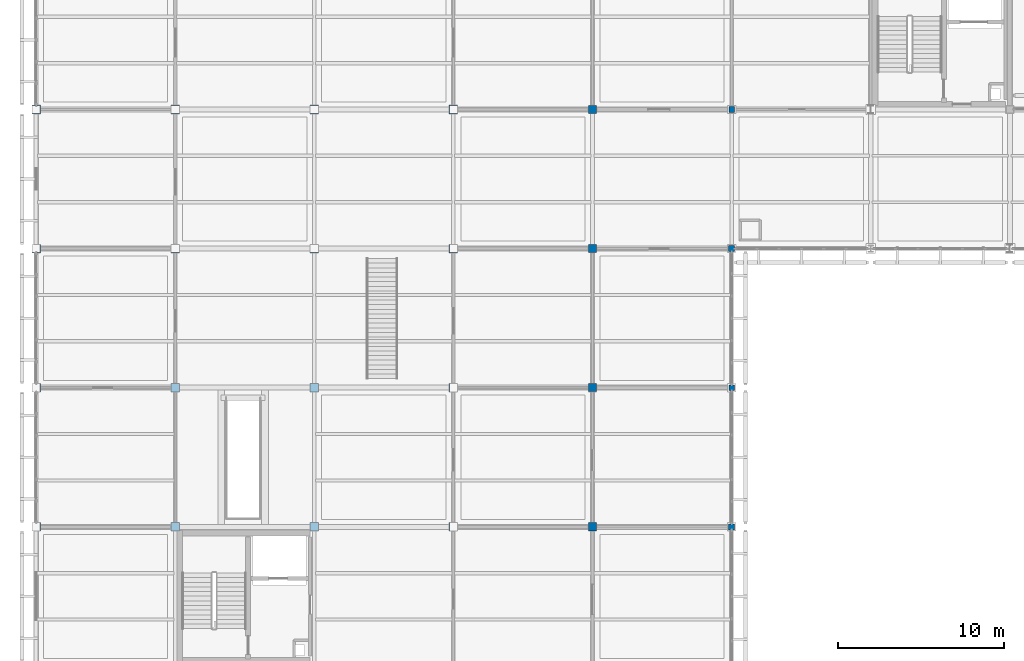
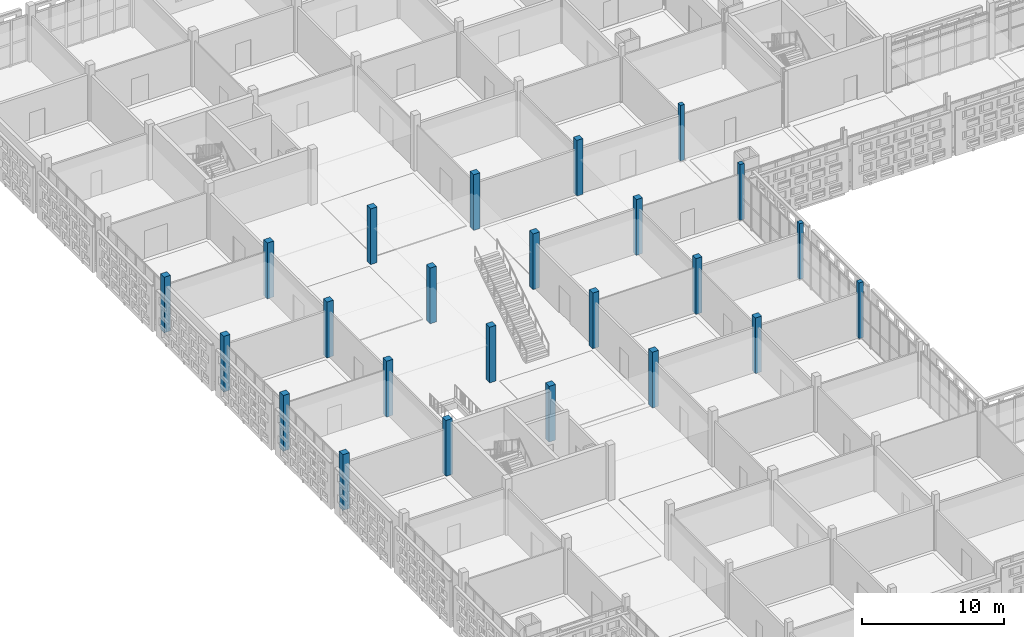
# One storey, part 3 of 203: 24 columns.
"""IFC4 building model written with IfcOpenShell, lengths in metres."""

from ifc_helpers import new_model, si_unit, direction, frame, origin, origin_2d, place, context, subcontext, project, spatial, rectangle, extrude, material, material_profile, profile_set, type_object, element, save


model = new_model("IFC4")

# Units and contexts
model_context = context("Model", 3, precision=1e-05, world=origin(), true_north=direction((0.0, 1.0)))
body_context = subcontext(model_context, "Body", "Model", "MODEL_VIEW")
ifc_project = project(units=[si_unit("LENGTHUNIT", "METRE"), si_unit("AREAUNIT", "SQUARE_METRE"), si_unit("VOLUMEUNIT", "CUBIC_METRE"), si_unit("PLANEANGLEUNIT", "RADIAN"), si_unit("MASSUNIT", "GRAM", prefix="KILO")], contexts=[model_context])

# Site, building, storey
site_placement = place(None, origin())
site = spatial("IfcSite", under=ifc_project, at=site_placement, CompositionType="ELEMENT")
building_placement = place(site_placement, origin())
building = spatial("IfcBuilding", under=site, at=building_placement, Name="Varnapada Polytechnic", CompositionType="ELEMENT")
storey_placement = place(building_placement, frame((0.0, 0.0, 4.800048828125)))
storey = spatial("IfcBuildingStorey", under=building, at=storey_placement, Name="L01", CompositionType="ELEMENT", Elevation=4.800048828125)

# Columns
ifc_material = material(Name="Glulam GL32h", Category="wood")
ifc_material_profile_1 = material_profile(ifc_material, rectangle(XDim=0.52001953125, YDim=0.52001953125, at=origin_2d()), Name="GL 520x520")
ifc_profile_set_1 = profile_set([ifc_material_profile_1], Name="Glulam GL32h")
column_type_1 = type_object("IfcColumnType", Name="Column C-11 (GL 520x520)", PredefinedType="COLUMN", material=ifc_profile_set_1)
for number, where, z_axis, x_axis, name in (
    (1, (0.0, 67.199951171875, 0.0), (0.0, 0.0, 1.0), (1.0, 0.0, 0.0), "L01 column 1/9"),
    (2, (0.0, 75.60009765625, 0.0), (0.0, 0.0, 1.0), (1.0, 0.0, 0.0), "L01 column 1/10"),
    (3, (0.0, 84.0, 0.0), (0.0, 0.0, 1.0), (1.0, 0.0, 0.0), "L01 column 1/11"),
    (4, (0.0, 92.39990234375, 0.0), (0.0, 0.0, 1.0), (1.0, 0.0, 0.0), "L01 column 1/12"),
    (5, (8.39990234375, 67.199951171875, 0.0), (0.0, 0.0, 1.0), (1.0, 0.0, 0.0), "L01 column 2/9"),
    (6, (8.39990234375, 75.60009765625, 0.0), (0.0, 0.0, 1.0), (1.0, 0.0, 0.0), "L01 column 2/10"),
    (7, (8.39990234375, 84.0, 0.0), (0.0, 0.0, 1.0), (1.0, 0.0, 0.0), "L01 column 2/11"),
    (8, (8.39990234375, 92.39990234375, 0.0), (0.0, 0.0, 1.0), (1.0, 0.0, 0.0), "L01 column 2/12"),
    (9, (16.800048828125, 67.199951171875, 0.0), (0.0, 0.0, 1.0), (1.0, 0.0, 0.0), "L01 column 3/9"),
    (10, (16.800048828125, 75.60009765625, 0.0), (0.0, 0.0, 1.0), (1.0, 0.0, 0.0), "L01 column 3/10"),
    (11, (16.800048828125, 84.0, 0.0), (0.0, 0.0, 1.0), (1.0, 0.0, 0.0), "L01 column 3/11"),
    (12, (16.800048828125, 92.39990234375, 0.0), (0.0, 0.0, 1.0), (1.0, 0.0, 0.0), "L01 column 3/12"),
    (13, (25.199951171875, 67.199951171875, 0.0), (0.0, 0.0, 1.0), (1.0, 0.0, 0.0), "L01 column 4/9"),
    (14, (25.199951171875, 75.60009765625, 0.0), (0.0, 0.0, 1.0), (1.0, 0.0, 0.0), "L01 column 4/10"),
    (15, (25.199951171875, 84.0, 0.0), (0.0, 0.0, 1.0), (1.0, 0.0, 0.0), "L01 column 4/11"),
    (16, (25.199951171875, 92.39990234375, 0.0), (0.0, 0.0, 1.0), (1.0, 0.0, 0.0), "L01 column 4/12"),
):
    element("IfcColumn", number, at=place(storey_placement, frame(where, z_axis=z_axis, x_axis=x_axis)), inside=storey, type_object=column_type_1, Name=name, PredefinedType="COLUMN", context=body_context, shape_type="SweptSolid", body=[
        extrude(rectangle(XDim=0.52001953125, YDim=0.52001953125, at=origin_2d()), origin(), (0.0, 0.0, 1.0), 4.800048828125),
    ])
ifc_material_profile_2 = material_profile(ifc_material, rectangle(XDim=0.360107421875, YDim=0.360107421875, at=origin_2d()), Name="GL 360x360")
ifc_profile_set_2 = profile_set([ifc_material_profile_2], Name="Glulam GL32h")
column_type_2 = type_object("IfcColumnType", Name="Column C-14 (GL 360x360)", PredefinedType="COLUMN", material=ifc_profile_set_2)
for number, where, z_axis, x_axis, name in (
    (17, (42.0, 67.199951171875, 0.0), (0.0, 0.0, 1.0), (1.0, 0.0, 0.0), "L01 column 6/9"),
    (18, (42.0, 84.0, 0.0), (0.0, 0.0, 1.0), (1.0, 0.0, 0.0), "L01 column 6/11"),
):
    element("IfcColumn", number, at=place(storey_placement, frame(where, z_axis=z_axis, x_axis=x_axis)), inside=storey, type_object=column_type_2, Name=name, PredefinedType="COLUMN", context=body_context, shape_type="SweptSolid", body=[
        extrude(rectangle(XDim=0.360107421875, YDim=0.360107421875, at=origin_2d()), origin(), (0.0, 0.0, 1.0), 4.800048828125),
    ])
ifc_material_profile_3 = material_profile(ifc_material, rectangle(XDim=0.5, YDim=0.5, at=origin_2d()), Name="GL 500x500")
ifc_profile_set_3 = profile_set([ifc_material_profile_3], Name="Glulam GL32h")
column_type_3 = type_object("IfcColumnType", Name="Column C-22 (GL 500x500)", PredefinedType="COLUMN", material=ifc_profile_set_3)
for number, where, z_axis, x_axis, name in (
    (19, (33.60009765625, 67.199951171875, 0.0), (0.0, 0.0, 1.0), (1.0, 0.0, 0.0), "L01 column 5/9"),
    (20, (33.60009765625, 84.0, 0.0), (0.0, 0.0, 1.0), (1.0, 0.0, 0.0), "L01 column 5/11"),
):
    element("IfcColumn", number, at=place(storey_placement, frame(where, z_axis=z_axis, x_axis=x_axis)), inside=storey, type_object=column_type_3, Name=name, PredefinedType="COLUMN", context=body_context, shape_type="SweptSolid", body=[
        extrude(rectangle(XDim=0.5, YDim=0.5, at=origin_2d()), origin(), (0.0, 0.0, 1.0), 4.800048828125),
    ])
ifc_material_profile_4 = material_profile(ifc_material, rectangle(XDim=0.47998046875, YDim=0.47998046875, at=origin_2d()), Name="GL 480x480")
ifc_profile_set_4 = profile_set([ifc_material_profile_4], Name="Glulam GL32h")
column_type_4 = type_object("IfcColumnType", Name="Column C-25 (GL 480x480)", PredefinedType="COLUMN", material=ifc_profile_set_4)
for number, where, z_axis, x_axis, name in (
    (21, (33.60009765625, 75.60009765625, 0.0), (0.0, 0.0, 1.0), (1.0, 0.0, 0.0), "L01 column 5/10"),
    (22, (33.60009765625, 92.39990234375, 0.0), (0.0, 0.0, 1.0), (1.0, 0.0, 0.0), "L01 column 5/12"),
):
    element("IfcColumn", number, at=place(storey_placement, frame(where, z_axis=z_axis, x_axis=x_axis)), inside=storey, type_object=column_type_4, Name=name, PredefinedType="COLUMN", context=body_context, shape_type="SweptSolid", body=[
        extrude(rectangle(XDim=0.47998046875, YDim=0.47998046875, at=origin_2d()), origin(), (0.0, 0.0, 1.0), 4.800048828125),
    ])
ifc_material_profile_5 = material_profile(ifc_material, rectangle(XDim=0.340087890625, YDim=0.340087890625, at=origin_2d()), Name="GL 340x340")
ifc_profile_set_5 = profile_set([ifc_material_profile_5], Name="Glulam GL32h")
column_type_5 = type_object("IfcColumnType", Name="Column C-27 (GL 340x340)", PredefinedType="COLUMN", material=ifc_profile_set_5)
for number, where, z_axis, x_axis, name in (
    (23, (42.0, 75.60009765625, 0.0), (0.0, 0.0, 1.0), (1.0, 0.0, 0.0), "L01 column 6/10"),
    (24, (42.0, 92.39990234375, 0.0), (0.0, 0.0, 1.0), (1.0, 0.0, 0.0), "L01 column 6/12"),
):
    element("IfcColumn", number, at=place(storey_placement, frame(where, z_axis=z_axis, x_axis=x_axis)), inside=storey, type_object=column_type_5, Name=name, PredefinedType="COLUMN", context=body_context, shape_type="SweptSolid", body=[
        extrude(rectangle(XDim=0.340087890625, YDim=0.340087890625, at=origin_2d()), origin(), (0.0, 0.0, 1.0), 4.800048828125),
    ])

save(model, "model.ifc")
